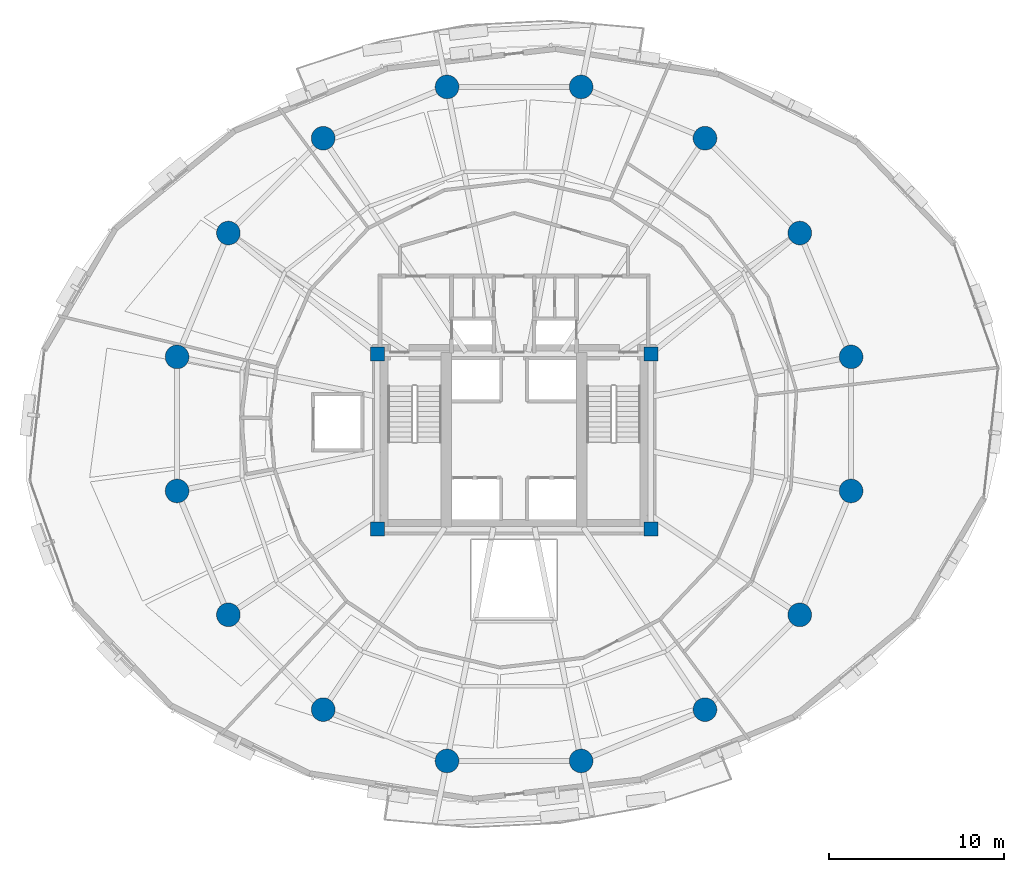
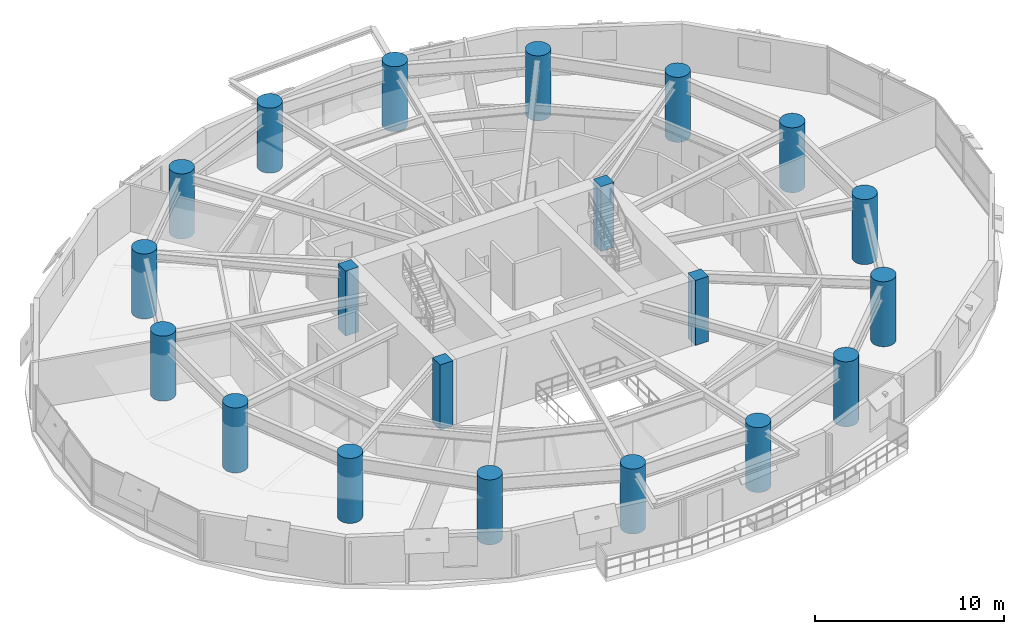
# One storey, part 1 of 17: 20 columns.
"""IFC4 building model written with IfcOpenShell, lengths in metres."""

from ifc_helpers import new_model, si_unit, direction, frame, origin, origin_2d, place, context, subcontext, project, spatial, rectangle, circle, extrude, material, material_profile, profile_set, type_object, element, save


model = new_model("IFC4")

# Units and contexts
model_context = context("Model", 3, precision=1e-05, world=origin(), true_north=direction((0.0, 1.0)))
body_context = subcontext(model_context, "Body", "Model", "MODEL_VIEW")
ifc_project = project(units=[si_unit("LENGTHUNIT", "METRE"), si_unit("AREAUNIT", "SQUARE_METRE"), si_unit("VOLUMEUNIT", "CUBIC_METRE"), si_unit("PLANEANGLEUNIT", "RADIAN"), si_unit("MASSUNIT", "GRAM", prefix="KILO"), si_unit("THERMODYNAMICTEMPERATUREUNIT", "KELVIN"), si_unit("POWERUNIT", "WATT")], contexts=[model_context])

# Site, building, storey
site_placement = place(None, origin())
site = spatial("IfcSite", under=ifc_project, at=site_placement, CompositionType="ELEMENT")
building_placement = place(site_placement, origin())
building = spatial("IfcBuilding", under=site, at=building_placement, Name="Ocrelia Relay Tower", CompositionType="ELEMENT")
storey_placement = place(building_placement, frame((0.0, 0.0, 59.39990234375)))
storey = spatial("IfcBuildingStorey", under=building, at=storey_placement, Name="L13", CompositionType="ELEMENT", Elevation=59.39990234375)

# Columns
ifc_material_1 = material(Name="Concrete C70/85", Category="concrete")
ifc_material_profile_1 = material_profile(ifc_material_1, circle(Radius=0.675048828125, at=origin_2d()), Name="RC-CIR-1350")
ifc_profile_set_1 = profile_set([ifc_material_profile_1], Name="Concrete C70/85")
column_type_1 = type_object("IfcColumnType", Name="COL-CT-1350", PredefinedType="COLUMN", material=ifc_profile_set_1)
for number, where, z_axis, x_axis, name in (
    (1, (53.223388671875, 29.82373046875, 0.0), (0.0, 0.0, 1.0), (1.0, 0.0, 0.0), "L13 Perimeter Ring Column C01"),
    (2, (50.296875, 36.88916015625, 0.0), (0.0, 0.0, 1.0), (1.0, 0.0, 0.0), "L13 Perimeter Ring Column C02"),
    (3, (44.88916015625, 42.296875, 0.0), (0.0, 0.0, 1.0), (1.0, 0.0, 0.0), "L13 Perimeter Ring Column C03"),
    (4, (37.82373046875, 45.223388671875, 0.0), (0.0, 0.0, 1.0), (1.0, 0.0, 0.0), "L13 Perimeter Ring Column C04"),
    (5, (30.17626953125, 45.223388671875, 0.0), (0.0, 0.0, 1.0), (1.0, 0.0, 0.0), "L13 Perimeter Ring Column C05"),
    (6, (23.11083984375, 42.296875, 0.0), (0.0, 0.0, 1.0), (1.0, 0.0, 0.0), "L13 Perimeter Ring Column C06"),
    (7, (17.703125, 36.88916015625, 0.0), (0.0, 0.0, 1.0), (1.0, 0.0, 0.0), "L13 Perimeter Ring Column C07"),
    (8, (14.776611328125, 29.82373046875, 0.0), (0.0, 0.0, 1.0), (1.0, 0.0, 0.0), "L13 Perimeter Ring Column C08"),
    (9, (14.776611328125, 22.17626953125, 0.0), (0.0, 0.0, 1.0), (1.0, 0.0, 0.0), "L13 Perimeter Ring Column C09"),
    (10, (17.703125, 15.11083984375, 0.0), (0.0, 0.0, 1.0), (1.0, 0.0, 0.0), "L13 Perimeter Ring Column C10"),
    (11, (23.11083984375, 9.703125, 0.0), (0.0, 0.0, 1.0), (1.0, 0.0, 0.0), "L13 Perimeter Ring Column C11"),
    (12, (30.17626953125, 6.776611328125, 0.0), (0.0, 0.0, 1.0), (1.0, 0.0, 0.0), "L13 Perimeter Ring Column C12"),
    (13, (37.82373046875, 6.776611328125, 0.0), (0.0, 0.0, 1.0), (1.0, 0.0, 0.0), "L13 Perimeter Ring Column C13"),
    (14, (44.88916015625, 9.703125, 0.0), (0.0, 0.0, 1.0), (1.0, 0.0, 0.0), "L13 Perimeter Ring Column C14"),
    (15, (50.296875, 15.11083984375, 0.0), (0.0, 0.0, 1.0), (1.0, 0.0, 0.0), "L13 Perimeter Ring Column C15"),
    (16, (53.223388671875, 22.17626953125, 0.0), (0.0, 0.0, 1.0), (1.0, 0.0, 0.0), "L13 Perimeter Ring Column C16"),
):
    element("IfcColumn", number, at=place(storey_placement, frame(where, z_axis=z_axis, x_axis=x_axis)), inside=storey, type_object=column_type_1, Name=name, PredefinedType="COLUMN", context=body_context, shape_type="SweptSolid", body=[
        extrude(circle(Radius=0.675048828125, at=origin_2d()), origin(), (0.0, 0.0, 1.0), 4.2001953125),
    ])
ifc_material_2 = material(Name="Concrete C60/75", Category="concrete")
ifc_material_profile_2 = material_profile(ifc_material_2, rectangle(XDim=0.800048828125, YDim=0.800048828125, at=origin_2d()), Name="RC-COL-800x800")
ifc_profile_set_2 = profile_set([ifc_material_profile_2], Name="Concrete C60/75")
column_type_2 = type_object("IfcColumnType", Name="COL-PILASTER-800", PredefinedType="PILASTER", material=ifc_profile_set_2)
for number, where, z_axis, x_axis, name in (
    (17, (26.199951171875, 20.0, 0.0), (0.0, 0.0, 1.0), (1.0, 0.0, 0.0), "L13 Core Corner Pilaster SW"),
    (18, (41.800048828125, 20.0, 0.0), (0.0, 0.0, 1.0), (1.0, 0.0, 0.0), "L13 Core Corner Pilaster SE"),
    (19, (26.199951171875, 30.0, 0.0), (0.0, 0.0, 1.0), (1.0, 0.0, 0.0), "L13 Core Corner Pilaster NW"),
    (20, (41.800048828125, 30.0, 0.0), (0.0, 0.0, 1.0), (1.0, 0.0, 0.0), "L13 Core Corner Pilaster NE"),
):
    element("IfcColumn", number, at=place(storey_placement, frame(where, z_axis=z_axis, x_axis=x_axis)), inside=storey, type_object=column_type_2, Name=name, PredefinedType="PILASTER", context=body_context, shape_type="SweptSolid", body=[
        extrude(rectangle(XDim=0.800048828125, YDim=0.800048828125, at=origin_2d()), origin(), (0.0, 0.0, 1.0), 4.2001953125),
    ])

save(model, "model.ifc")
